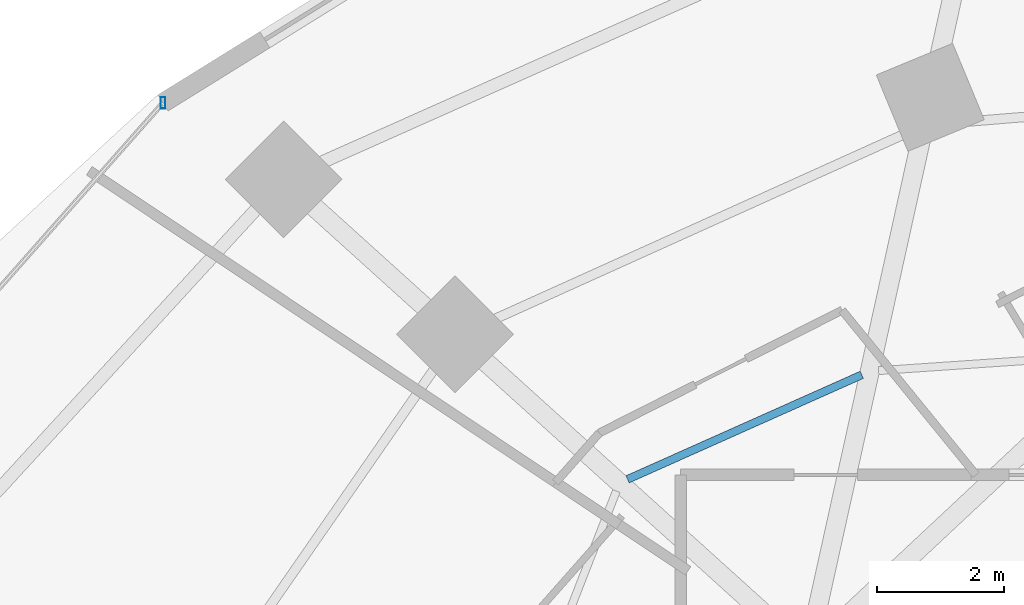
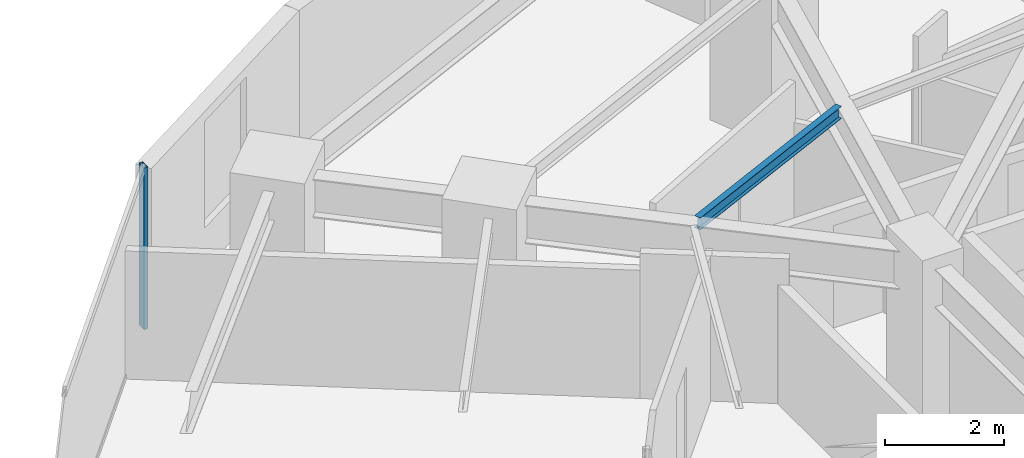
# One storey, part 19 of 33: 1 beam, 1 member, 1 element without a shape of its own.
"""IFC4 building model written with IfcOpenShell, lengths in metres."""

from ifc_helpers import new_model, si_unit, direction, frame, origin, origin_2d, place, context, subcontext, project, spatial, hollow_rectangle, i_section, extrude, material, material_profile, profile_set, type_object, element, aggregate, save


model = new_model("IFC4")

# Units and contexts
model_context = context("Model", 3, precision=1e-05, world=origin(), true_north=direction((0.0, 1.0)))
body_context = subcontext(model_context, "Body", "Model", "MODEL_VIEW")
ifc_project = project(units=[si_unit("LENGTHUNIT", "METRE"), si_unit("AREAUNIT", "SQUARE_METRE"), si_unit("VOLUMEUNIT", "CUBIC_METRE"), si_unit("PLANEANGLEUNIT", "RADIAN"), si_unit("MASSUNIT", "GRAM", prefix="KILO")], contexts=[model_context])

# Site, building, storey
site_placement = place(None, origin())
site = spatial("IfcSite", under=ifc_project, at=site_placement, CompositionType="ELEMENT")
building_placement = place(site_placement, origin())
building = spatial("IfcBuilding", under=site, at=building_placement, Name="Vorneva Point Tower", CompositionType="ELEMENT")
storey_placement = place(building_placement, frame((0.0, 0.0, 38.0)))
storey = spatial("IfcBuildingStorey", under=building, at=storey_placement, Name="L09", CompositionType="ELEMENT", Elevation=38.0)

# Beam
ifc_material_1 = material(Name="Steel S355", Category="steel")
ifc_material_profile_1 = material_profile(ifc_material_1, i_section(OverallWidth=0.1240234375, OverallDepth=0.248046875, WebThickness=0.0048828125, FlangeThickness=0.008056640625, at=origin_2d()), Name="25B1")
ifc_profile_set_1 = profile_set([ifc_material_profile_1], Name="Steel S355")
beam_type = type_object("IfcBeamType", Name="BM-JST-25B1", PredefinedType="JOIST", material=ifc_profile_set_1)
beam_placement = place(storey_placement, frame((28.10205078125, 37.52490234375, 3.115966796875), z_axis=(-0.913186925574, -0.40754096599, 0.0), x_axis=(0.40754096599, -0.913186925574, 0.0)))
element("IfcBeam", 1, at=beam_placement, inside=storey, type_object=beam_type, Name="L09 Secondary Floor Beam 2.06", PredefinedType="JOIST", context=body_context, shape_type="SweptSolid", body=[
    extrude(i_section(OverallWidth=0.1240234375, OverallDepth=0.248046875, WebThickness=0.0048828125, FlangeThickness=0.008056640625, at=origin_2d()), origin(), (0.0, 0.0, 1.0), 4.036376953125),
])

# Curtain wall, member
ifc_material_2 = material(Name="Pale anodised aluminium", Category="aluminium")
curtain_wall_type = type_object("IfcCurtainWallType", Name="CW-HTL-SYS", PredefinedType="NOTDEFINED", material=ifc_material_2)
curtain_wall_placement = place(storey_placement, origin())
curtain_wall = element("IfcCurtainWall", 2, at=curtain_wall_placement, inside=storey, type_object=curtain_wall_type, Name="L09 Unitised Curtain Wall CW-L09-R03", PredefinedType="NOTDEFINED")
ifc_material_profile_2 = material_profile(ifc_material_2, hollow_rectangle(XDim=0.074951171875, YDim=0.179931640625, WallThickness=0.00390625, at=origin_2d()), Name="AL-MUL 180x75x4")
ifc_profile_set_2 = profile_set([ifc_material_profile_2], Name="Pale anodised aluminium")
member_type = type_object("IfcMemberType", Name="CW-MUL-180", PredefinedType="MULLION", material=ifc_profile_set_2)
member_placement = place(storey_placement, frame((17.10498046875, 41.8037109375, -0.0400390625), z_axis=(0.0, 0.0, 1.0), x_axis=(1.0, 0.0, 0.0)))
member = element("IfcMember", 3, at=member_placement, type_object=member_type, Name="CW-L09-R03 Mullion 01", PredefinedType="MULLION", context=body_context, shape_type="SweptSolid", body=[
    extrude(hollow_rectangle(XDim=0.074951171875, YDim=0.179931640625, WallThickness=0.00390625, at=origin_2d()), origin(), (0.0, 0.0, 1.0), 3.31005859375),
])
aggregate(curtain_wall, [member])

save(model, "model.ifc")
